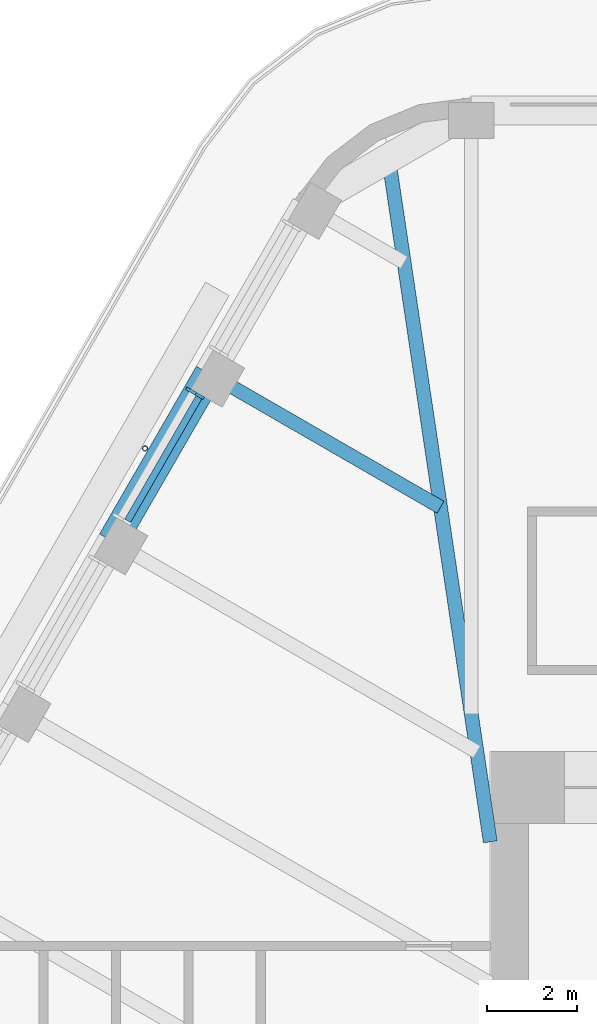
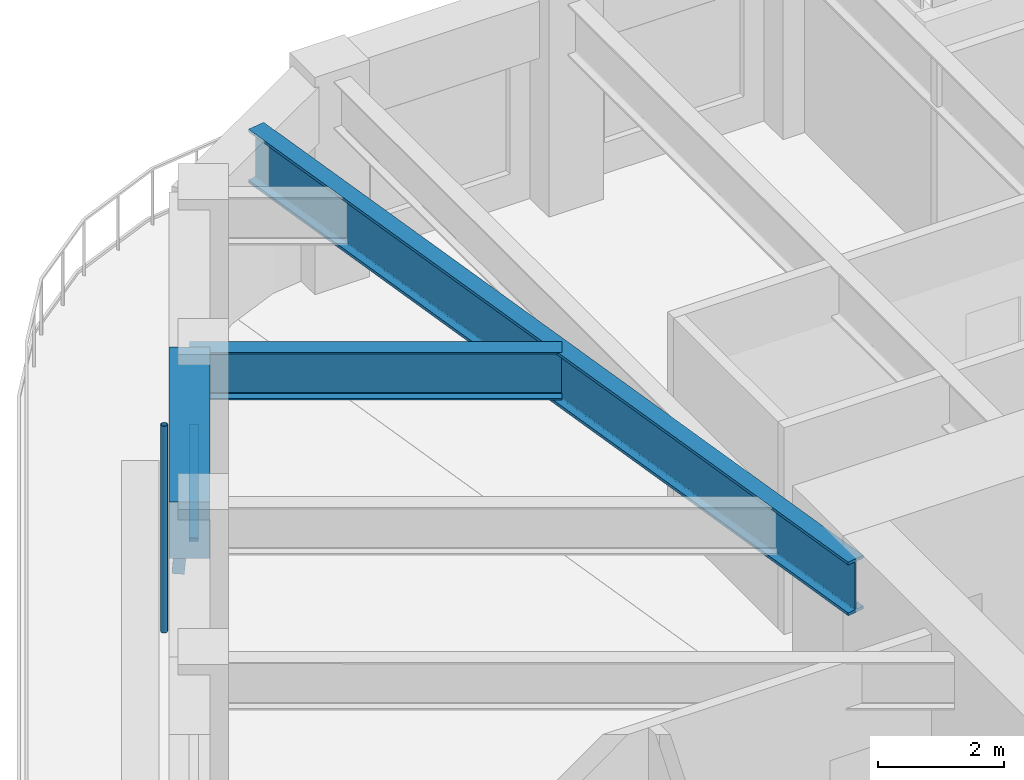
# One storey, part 8 of 19: 3 beams, 3 members, 1 element without a shape of its own.
"""IFC4 building model written with IfcOpenShell, lengths in metres."""

import ifcopenshell
import ifcopenshell.guid

model = None  # the IFC model being written
_history = None  # IfcOwnerHistory: only IFC2X3 demands one
_inside = {}  # id of a spatial element -> (the spatial element, [elements in it])
_under = {}  # id of a project, library or spatial element -> (it, [spatial elements below it])
_declared = {}  # id of a project -> (the project, [libraries it declares])
_typed = {}  # id of a type object -> (the type object, [elements of that type])
_made_of = {}  # id of a material, layer set ... -> (it, [elements and type objects made of it])


def new_model(schema):
    """Start an empty IFC model of exactly this schema.

    Asked for "IFC4X3", IfcOpenShell would pick the latest addendum, in which some entities
    have other attributes; the version numbers below select the first issue.
    IFC2X3 requires an IfcOwnerHistory on every rooted entity: one is made here for all.
    """
    global model, _history
    if schema == "IFC4X3":
        model = ifcopenshell.file(schema_version=(4, 3, 0, 0))
    else:
        model = ifcopenshell.file(schema=schema)
    _inside.clear()
    _under.clear()
    _declared.clear()
    _typed.clear()
    _made_of.clear()
    _history = None
    if model.schema == "IFC2X3":
        org = make("IfcOrganization", Name="unknown")
        user = make(
            "IfcPersonAndOrganization",
            ThePerson=make("IfcPerson", FamilyName="unknown"),
            TheOrganization=org,
        )
        app = make(
            "IfcApplication",
            ApplicationDeveloper=org,
            Version="unknown",
            ApplicationFullName="unknown",
            ApplicationIdentifier="unknown",
        )
        _history = make(
            "IfcOwnerHistory",
            OwningUser=user,
            OwningApplication=app,
            ChangeAction="ADDED",
            CreationDate=0,
        )
    return model


def make(cls, **values):
    """One entity of the class cls with the attributes given. An attribute that is None is left unset."""
    return model.create_entity(
        cls, **{name: value for name, value in values.items() if value is not None}
    )


def rooted(cls, **values):
    """An entity with a GlobalId (a new one), such as an element, a storey or a relation."""
    return make(cls, GlobalId=ifcopenshell.guid.new(), OwnerHistory=_history, **values)


def si_unit(unit_type, name, prefix=None):
    """IfcSIUnit, for example si_unit("LENGTHUNIT", "METRE", prefix="MILLI")."""
    return make("IfcSIUnit", UnitType=unit_type, Prefix=prefix, Name=name)


def assignment(units):
    """IfcUnitAssignment: the units of a project."""
    return None if units is None else make("IfcUnitAssignment", Units=units)


def point(xyz):
    """IfcCartesianPoint."""
    return None if xyz is None else make("IfcCartesianPoint", Coordinates=xyz)


def direction(xyz):
    """IfcDirection."""
    return None if xyz is None else make("IfcDirection", DirectionRatios=xyz)


def frame(location, z_axis=None, x_axis=None):
    """IfcAxis2Placement3D, a coordinate frame: its origin and axes. An axis left out is left unset."""
    return make(
        "IfcAxis2Placement3D",
        Location=point(location),
        Axis=direction(z_axis),
        RefDirection=direction(x_axis),
    )


def frame_2d(location, x_axis=None):
    """IfcAxis2Placement2D, a coordinate frame in the plane: its origin and x axis."""
    return make(
        "IfcAxis2Placement2D", Location=point(location), RefDirection=direction(x_axis)
    )


def origin():
    """The frame at (0, 0, 0) with its axes left unset."""
    return frame((0.0, 0.0, 0.0))


def origin_2d():
    """The frame at (0, 0) in the plane with its x axis left unset."""
    return frame_2d((0.0, 0.0))


def place(relative_to, where):
    """IfcLocalPlacement: puts the frame where relative to a parent placement (None: the world)."""
    return make(
        "IfcLocalPlacement", PlacementRelTo=relative_to, RelativePlacement=where
    )


def context(
    kind, dimensions, precision=None, world=None, true_north=None, identifier=None
):
    """IfcGeometricRepresentationContext, for example the 3D "Model" context."""
    return make(
        "IfcGeometricRepresentationContext",
        ContextIdentifier=identifier,
        ContextType=kind,
        CoordinateSpaceDimension=dimensions,
        Precision=precision,
        WorldCoordinateSystem=world,
        TrueNorth=true_north,
    )


def subcontext(parent, identifier, kind, view, scale=None):
    """IfcGeometricRepresentationSubContext, for example "Body" below "Model"."""
    return make(
        "IfcGeometricRepresentationSubContext",
        ContextIdentifier=identifier,
        ContextType=kind,
        ParentContext=parent,
        TargetScale=scale,
        TargetView=view,
    )


def project(units=None, contexts=None):
    """IfcProject with its units and contexts."""
    return rooted(
        "IfcProject",
        Name="project",
        RepresentationContexts=contexts,
        UnitsInContext=assignment(units),
    )


def spatial(cls, under=None, at=None, **own):
    """A site, building, storey or space (cls), placed at a placement, below another one or the project."""
    s = rooted(cls, ObjectPlacement=at, **own)
    if under is not None:
        _under.setdefault(under.id(), (under, []))[1].append(s)
    return s


def profile(cls, at=None, kind="AREA", **sizes):
    """A parametric profile (cls). Its sizes go by their IFC names, for example OverallWidth=200.0."""
    return make(cls, ProfileType=kind, Position=at, **sizes)


def rectangle(**sizes):
    """IfcRectangleProfileDef."""
    return profile("IfcRectangleProfileDef", **sizes)


def hollow_circle(**sizes):
    """IfcCircleHollowProfileDef."""
    return profile("IfcCircleHollowProfileDef", **sizes)


def i_section(**sizes):
    """IfcIShapeProfileDef."""
    return profile("IfcIShapeProfileDef", **sizes)


def extrude(swept, where, along, depth):
    """IfcExtrudedAreaSolid: the profile swept, set in the frame where, extruded along a direction by depth."""
    return make(
        "IfcExtrudedAreaSolid",
        SweptArea=swept,
        Position=where,
        ExtrudedDirection=direction(along),
        Depth=depth,
    )


def shape(context_of_items, identifier, shape_type, items):
    """IfcShapeRepresentation: the items that make up one representation, for example the "Body"."""
    return make(
        "IfcShapeRepresentation",
        ContextOfItems=context_of_items,
        RepresentationIdentifier=identifier,
        RepresentationType=shape_type,
        Items=items,
    )


def material(Name=None, Category=None):
    """IfcMaterial."""
    return make("IfcMaterial", Name=Name, Category=Category)


def material_profile(
    of_material, cross_section, Name=None, Category=None, Priority=None
):
    """IfcMaterialProfile: a cross section and its material."""
    return make(
        "IfcMaterialProfile",
        Name=Name,
        Material=of_material,
        Profile=cross_section,
        Priority=Priority,
        Category=Category,
    )


def profile_set(profiles, Name=None, composite=None):
    """IfcMaterialProfileSet."""
    return make(
        "IfcMaterialProfileSet",
        Name=Name,
        MaterialProfiles=profiles,
        CompositeProfile=composite,
    )


def made_of(thing, what):
    """Note that an element or type object is made of a material, layer set ...; save() writes the relation."""
    if what is not None:
        _made_of.setdefault(what.id(), (what, []))[1].append(thing)
    return thing


def type_object(cls, material=None, **own):
    """A type object (cls), such as IfcWallType, which elements share."""
    return made_of(rooted(cls, **own), material)


def element(
    cls,
    number,
    at=None,
    inside=None,
    cuts=None,
    type_object=None,
    material=None,
    context=None,
    identifier="Body",
    shape_type=None,
    held_by="IfcProductDefinitionShape",
    body=None,
    shapes=None,
    **own,
):
    """One element of the class cls, such as IfcWall. Its Tag is "e" and its number.

    at: its placement. inside: the storey or other place that contains it. cuts: it is an
    opening in that element (IfcRelVoidsElement). A single representation is given by context,
    identifier, shape_type and body (its items); several are given by shapes. held_by: the class
    of the entity that holds the representations. save() writes the other relations.
    """
    e = rooted(cls, Tag="e%d" % number, ObjectPlacement=at, **own)
    if body is not None:
        shapes = [shape(context, identifier, shape_type, body)]
    if shapes is not None:
        e.Representation = make(held_by, Representations=shapes)
    if inside is not None:
        _inside.setdefault(inside.id(), (inside, []))[1].append(e)
    if cuts is not None:
        rooted(
            "IfcRelVoidsElement", RelatingBuildingElement=cuts, RelatedOpeningElement=e
        )
    if type_object is not None:
        _typed.setdefault(type_object.id(), (type_object, []))[1].append(e)
    return made_of(e, material)


def aggregate(whole, parts):
    """IfcRelAggregates: a whole, such as a stair, and the parts it consists of."""
    return rooted("IfcRelAggregates", RelatingObject=whole, RelatedObjects=parts)


def save(model, path):
    """Write the relations noted so far, then the file.

    IfcRelAggregates (storeys below a building ...), IfcRelContainedInSpatialStructure (elements
    in a storey), IfcRelDefinesByType, IfcRelAssociatesMaterial and IfcRelDeclares: one each for
    every whole, place, type object, material and project.
    """
    for whole, parts in _under.values():
        aggregate(whole, parts)
    for where, things in _inside.values():
        rooted(
            "IfcRelContainedInSpatialStructure",
            RelatedElements=things,
            RelatingStructure=where,
        )
    for kind, things in _typed.values():
        rooted("IfcRelDefinesByType", RelatedObjects=things, RelatingType=kind)
    for what, things in _made_of.values():
        rooted("IfcRelAssociatesMaterial", RelatedObjects=things, RelatingMaterial=what)
    for by, libraries in _declared.values():
        rooted("IfcRelDeclares", RelatingContext=by, RelatedDefinitions=libraries)
    model.write(path)


model = new_model("IFC4")

# Units and contexts
model_context = context("Model", 3, precision=1e-05, world=origin(), true_north=direction((0.0, 1.0)))
body_context = subcontext(model_context, "Body", "Model", "MODEL_VIEW")
ifc_project = project(units=[si_unit("LENGTHUNIT", "METRE"), si_unit("AREAUNIT", "SQUARE_METRE"), si_unit("VOLUMEUNIT", "CUBIC_METRE"), si_unit("PLANEANGLEUNIT", "RADIAN"), si_unit("MASSUNIT", "GRAM", prefix="KILO")], contexts=[model_context])

# Site, building, storey
site_placement = place(None, origin())
site = spatial("IfcSite", under=ifc_project, at=site_placement, CompositionType="ELEMENT")
building_placement = place(site_placement, origin())
building = spatial("IfcBuilding", under=site, at=building_placement, Name="Tarfa Lantern Tower", CompositionType="ELEMENT")
storey_placement = place(building_placement, frame((0.0, 0.0, 340.89990234375)))
storey = spatial("IfcBuildingStorey", under=building, at=storey_placement, Name="L77", CompositionType="ELEMENT", Elevation=340.89990234375)

# Curtain wall, members
ifc_material_1 = material(Name="Aluminium framed curtain wall", Category="aluminium")
curtain_wall_type = type_object("IfcCurtainWallType", Name="CW4 CANTED GLAZING EXECUTIVE ZONE 2900", PredefinedType="USERDEFINED", material=ifc_material_1)
curtain_wall_placement = place(storey_placement, origin())
curtain_wall = element("IfcCurtainWall", 1, at=curtain_wall_placement, inside=storey, type_object=curtain_wall_type, Name="CW4 NW L77", ObjectType="CURTAIN WALL", PredefinedType="USERDEFINED")
ifc_material_2 = material(Name="Aluminium mullion", Category="aluminium")
ifc_material_profile_1 = material_profile(ifc_material_2, rectangle(XDim=0.06494140625, YDim=0.199951171875, at=origin_2d()), Name="AL MULLION 65x200")
ifc_profile_set_1 = profile_set([ifc_material_profile_1], Name="Aluminium mullion")
member_type_1 = type_object("IfcMemberType", Name="CWM1 MULLION 65x200", PredefinedType="MULLION", material=ifc_profile_set_1)
member_1_placement = place(storey_placement, frame((-19.063720703125, 20.280517578125, 0.0), z_axis=(0.074310195522, -0.042942234884, 0.996310172238), x_axis=(0.500342721131, 0.865827443207, 0.0)))
member_1 = element("IfcMember", 2, at=member_1_placement, type_object=member_type_1, Name="CW4 mullion 1", PredefinedType="MULLION", context=body_context, shape_type="SweptSolid", body=[
    extrude(rectangle(XDim=0.06494140625, YDim=0.199951171875, at=origin_2d()), origin(), (0.0, 0.0, 1.0), 2.910888671875),
])
ifc_material_3 = material(Name="Aluminium transom", Category="aluminium")
ifc_material_profile_2 = material_profile(ifc_material_3, rectangle(XDim=0.14990234375, YDim=0.06494140625, at=origin_2d()), Name="AL TRANSOM 150x65")
ifc_profile_set_2 = profile_set([ifc_material_profile_2], Name="Aluminium transom")
member_type_2 = type_object("IfcMemberType", Name="CWT1 TRANSOM 150x65", PredefinedType="USERDEFINED", material=ifc_profile_set_2)
member_2_placement = place(storey_placement, frame((-18.865966796875, 20.128662109375, 2.86767578125), z_axis=(-0.499979472441, -0.866037255052, 0.0), x_axis=(0.866037255052, -0.499979472441, 0.0)))
member_2 = element("IfcMember", 3, at=member_2_placement, type_object=member_type_2, Name="CW4 transom 1.2", ObjectType="TRANSOM", PredefinedType="USERDEFINED", context=body_context, shape_type="SweptSolid", body=[
    extrude(rectangle(XDim=0.14990234375, YDim=0.06494140625, at=origin_2d()), origin(), (0.0, 0.0, 1.0), 3.152099609375),
])
aggregate(curtain_wall, [member_1, member_2])

# Beam
ifc_material_4 = material(Name="Concrete C80/95", Category="concrete")
ifc_material_profile_3 = material_profile(ifc_material_4, rectangle(XDim=0.64990234375, YDim=1.10009765625, at=origin_2d()), Name="RC 650x1100")
ifc_profile_set_3 = profile_set([ifc_material_profile_3], Name="Concrete C80/95")
beam_type_1 = type_object("IfcBeamType", Name="EB4 RC 650x1100", PredefinedType="SPANDREL", material=ifc_profile_set_3)
beam_1_placement = place(storey_placement, frame((-18.6416015625, 20.651611328125, 3.4501953125), z_axis=(-0.500026801138, -0.866009929587, 0.0), x_axis=(0.866009929587, -0.500026801138, 0.0)))
element("IfcBeam", 4, at=beam_1_placement, inside=storey, type_object=beam_type_1, Name="Edge beam NW1", PredefinedType="SPANDREL", context=body_context, shape_type="SweptSolid", body=[
    extrude(rectangle(XDim=0.64990234375, YDim=1.10009765625, at=origin_2d()), origin(), (0.0, 0.0, 1.0), 4.281982421875),
])

# Member
ifc_material_5 = material(Name="Steel S355", Category="steel")
ifc_material_profile_4 = material_profile(ifc_material_5, hollow_circle(Radius=0.05712890625, WallThickness=0.00634765625, at=origin_2d()), Name="CHS114.3x6.3")
ifc_profile_set_4 = profile_set([ifc_material_profile_4], Name="Steel S355")
member_type_3 = type_object("IfcMemberType", Name="TR1 GREEN WALL TRELLIS CHS114.3x6.3", PredefinedType="USERDEFINED", material=ifc_profile_set_4)
member_3_placement = place(storey_placement, frame((-20.05859375, 18.99755859375, 0.0), z_axis=(0.0, 0.0, 1.0), x_axis=(1.0, 0.0, 0.0)))
element("IfcMember", 5, at=member_3_placement, inside=storey, type_object=member_type_3, Name="Trellis post NW 1", ObjectType="TRELLIS", PredefinedType="USERDEFINED", context=body_context, shape_type="SweptSolid", body=[
    extrude(hollow_circle(Radius=0.05712890625, WallThickness=0.00634765625, at=origin_2d()), origin(), (0.0, 0.0, 1.0), 4.0),
])

# Beams
ifc_material_6 = material(Name="Steel S460M", Category="steel")
ifc_material_profile_5 = material_profile(ifc_material_6, i_section(OverallWidth=0.30859375, OverallDepth=1.036376953125, WebThickness=0.030029296875, FlangeThickness=0.05419921875, FilletRadius=0.030029296875, at=origin_2d()), Name="UB1016x305x487")
ifc_profile_set_5 = profile_set([ifc_material_profile_5], Name="Steel S460M")
beam_type_2 = type_object("IfcBeamType", Name="UB1016x305x487", PredefinedType="BEAM", material=ifc_profile_set_5)
beam_2_placement = place(storey_placement, frame((-12.425048828125, 10.300048828125, 3.48193359375), z_axis=(-0.147127069073, 0.989117599452, 0.0), x_axis=(-0.989117599452, -0.147127069073, 0.0)))
element("IfcBeam", 6, at=beam_2_placement, inside=storey, type_object=beam_type_2, Name="Hip girder NW", PredefinedType="BEAM", context=body_context, shape_type="SweptSolid", body=[
    extrude(i_section(OverallWidth=0.30859375, OverallDepth=1.036376953125, WebThickness=0.030029296875, FlangeThickness=0.05419921875, FilletRadius=0.030029296875, at=origin_2d()), origin(), (0.0, 0.0, 1.0), 15.28125),
])
ifc_material_profile_6 = material_profile(ifc_material_6, i_section(OverallWidth=0.305419921875, OverallDepth=0.91845703125, WebThickness=0.017333984375, FlangeThickness=0.02783203125, FilletRadius=0.01904296875, at=origin_2d()), Name="UB914x305x253")
ifc_profile_set_6 = profile_set([ifc_material_profile_6], Name="Steel S460M")
beam_type_3 = type_object("IfcBeamType", Name="UB914x305x253", PredefinedType="BEAM", material=ifc_profile_set_6)
beam_3_placement = place(storey_placement, frame((-18.6416015625, 20.651611328125, 3.541015625), z_axis=(0.866024549157, -0.500001480256, 0.0), x_axis=(0.500001480256, 0.866024549157, 0.0)))
element("IfcBeam", 7, at=beam_3_placement, inside=storey, type_object=beam_type_3, Name="Floor beam NW1", PredefinedType="BEAM", context=body_context, shape_type="SweptSolid", body=[
    extrude(i_section(OverallWidth=0.305419921875, OverallDepth=0.91845703125, WebThickness=0.017333984375, FlangeThickness=0.02783203125, FilletRadius=0.01904296875, at=origin_2d()), origin(), (0.0, 0.0, 1.0), 5.90771484375),
])

save(model, "model.ifc")
